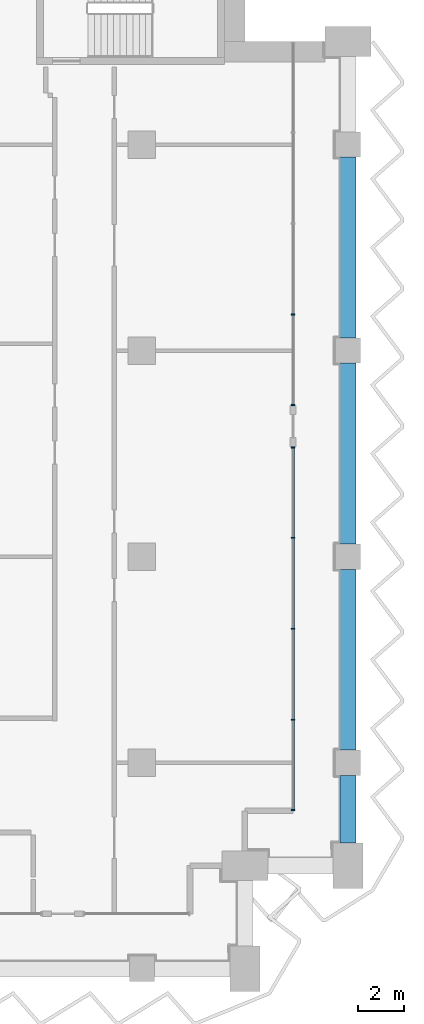
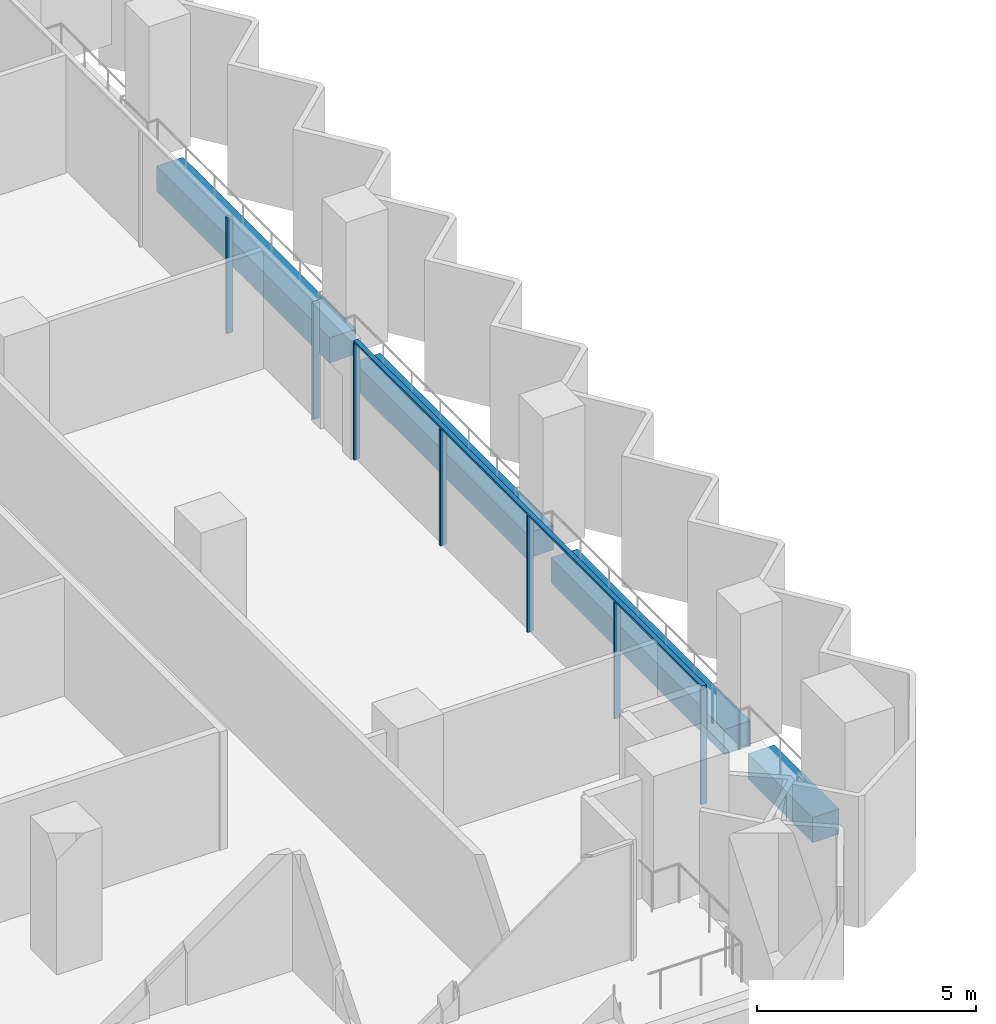
# One storey, part 5 of 23: 8 members, 4 beams, 2 elements without a shape of their own.
"""IFC4 building model written with IfcOpenShell, lengths in metres."""

from ifc_helpers import new_model, si_unit, direction, frame, origin, origin_2d, place, context, subcontext, project, spatial, rectangle, extrude, material, material_profile, profile_set, type_object, element, aggregate, save


model = new_model("IFC4")

# Units and contexts
model_context = context("Model", 3, precision=1e-05, world=origin(), true_north=direction((0.0, 1.0)))
body_context = subcontext(model_context, "Body", "Model", "MODEL_VIEW")
ifc_project = project(units=[si_unit("LENGTHUNIT", "METRE"), si_unit("AREAUNIT", "SQUARE_METRE"), si_unit("VOLUMEUNIT", "CUBIC_METRE"), si_unit("PLANEANGLEUNIT", "RADIAN"), si_unit("MASSUNIT", "GRAM", prefix="KILO")], contexts=[model_context])

# Site, building, storey
site_placement = place(None, origin())
site = spatial("IfcSite", under=ifc_project, at=site_placement, CompositionType="ELEMENT")
building_placement = place(site_placement, origin())
building = spatial("IfcBuilding", under=site, at=building_placement, Name="Hunhe Ridgeline Campus", CompositionType="ELEMENT")
storey_placement = place(building_placement, frame((0.0, 0.0, 148.60009765625)))
storey = spatial("IfcBuildingStorey", under=building, at=storey_placement, Name="L37", CompositionType="ELEMENT", Elevation=148.60009765625)

# Curtain wall, members
ifc_material_1 = material(Name="Aluminium 6063", Category="aluminium")
curtain_wall_type = type_object("IfcCurtainWallType", Name="Curtain wall CW-1", PredefinedType="NOTDEFINED", material=ifc_material_1)
curtain_wall_1_placement = place(storey_placement, origin())
curtain_wall_1 = element("IfcCurtainWall", 1, at=curtain_wall_1_placement, inside=storey, type_object=curtain_wall_type, Name="Curtain wall 14", PredefinedType="NOTDEFINED")
ifc_material_profile_1 = material_profile(ifc_material_1, rectangle(XDim=0.159912109375, YDim=0.06005859375, at=origin_2d()))
ifc_profile_set_1 = profile_set([ifc_material_profile_1], Name="Aluminium 6063")
member_type_1 = type_object("IfcMemberType", Name="CW-1 aluminium mullion", PredefinedType="MULLION", material=ifc_profile_set_1)
member_1_placement = place(storey_placement, frame((60.59912109375, 60.930908203125, 0.0), z_axis=(0.0, 0.0, 1.0), x_axis=(-1.0, 0.0, 0.0)))
member_1 = element("IfcMember", 2, at=member_1_placement, type_object=member_type_1, Name="CW-1 mullion 1", PredefinedType="MULLION", context=body_context, shape_type="SweptSolid", body=[
    extrude(rectangle(XDim=0.159912109375, YDim=0.06005859375, at=origin_2d()), origin(), (0.0, 0.0, 1.0), 3.239990234375),
])
member_2_placement = place(storey_placement, frame((60.59912109375, 64.8759765625, 0.0), z_axis=(0.0, 0.0, 1.0), x_axis=(-1.0, 0.0, 0.0)))
member_2 = element("IfcMember", 3, at=member_2_placement, type_object=member_type_1, Name="CW-1 mullion 2", PredefinedType="MULLION", context=body_context, shape_type="SweptSolid", body=[
    extrude(rectangle(XDim=0.159912109375, YDim=0.06005859375, at=origin_2d()), origin(), (0.0, 0.0, 1.0), 3.239990234375),
])
member_3_placement = place(storey_placement, frame((60.59912109375, 68.850830078125, 0.0), z_axis=(0.0, 0.0, 1.0), x_axis=(-1.0, 0.0, 0.0)))
member_3 = element("IfcMember", 4, at=member_3_placement, type_object=member_type_1, Name="CW-1 mullion 3", PredefinedType="MULLION", context=body_context, shape_type="SweptSolid", body=[
    extrude(rectangle(XDim=0.159912109375, YDim=0.06005859375, at=origin_2d()), origin(), (0.0, 0.0, 1.0), 3.239990234375),
])
member_4_placement = place(storey_placement, frame((60.59912109375, 72.82568359375, 0.0), z_axis=(0.0, 0.0, 1.0), x_axis=(-1.0, 0.0, 0.0)))
member_4 = element("IfcMember", 5, at=member_4_placement, type_object=member_type_1, Name="CW-1 mullion 4", PredefinedType="MULLION", context=body_context, shape_type="SweptSolid", body=[
    extrude(rectangle(XDim=0.159912109375, YDim=0.06005859375, at=origin_2d()), origin(), (0.0, 0.0, 1.0), 3.239990234375),
])
member_5_placement = place(storey_placement, frame((60.59912109375, 76.7705078125, 0.0), z_axis=(0.0, 0.0, 1.0), x_axis=(-1.0, 0.0, 0.0)))
member_5 = element("IfcMember", 6, at=member_5_placement, type_object=member_type_1, Name="CW-1 mullion 5", PredefinedType="MULLION", context=body_context, shape_type="SweptSolid", body=[
    extrude(rectangle(XDim=0.159912109375, YDim=0.06005859375, at=origin_2d()), origin(), (0.0, 0.0, 1.0), 3.239990234375),
])

curtain_wall_2_placement = place(storey_placement, origin())
curtain_wall_2 = element("IfcCurtainWall", 7, at=curtain_wall_2_placement, inside=storey, type_object=curtain_wall_type, Name="Curtain wall 15", PredefinedType="NOTDEFINED")
member_6_placement = place(storey_placement, frame((60.59912109375, 78.630615234375, 0.0), z_axis=(0.0, 0.0, 1.0), x_axis=(-1.0, 0.0, 0.0)))
member_6 = element("IfcMember", 8, at=member_6_placement, type_object=member_type_1, Name="CW-1 mullion 1", PredefinedType="MULLION", context=body_context, shape_type="SweptSolid", body=[
    extrude(rectangle(XDim=0.159912109375, YDim=0.06005859375, at=origin_2d()), origin(), (0.0, 0.0, 1.0), 3.239990234375),
])
member_7_placement = place(storey_placement, frame((60.59912109375, 82.575439453125, 0.0), z_axis=(0.0, 0.0, 1.0), x_axis=(-1.0, 0.0, 0.0)))
member_7 = element("IfcMember", 9, at=member_7_placement, type_object=member_type_1, Name="CW-1 mullion 2", PredefinedType="MULLION", context=body_context, shape_type="SweptSolid", body=[
    extrude(rectangle(XDim=0.159912109375, YDim=0.06005859375, at=origin_2d()), origin(), (0.0, 0.0, 1.0), 3.239990234375),
])
aggregate(curtain_wall_2, [member_6, member_7])

# Member
ifc_material_profile_2 = material_profile(ifc_material_1, rectangle(XDim=0.1201171875, YDim=0.06005859375, at=origin_2d()))
ifc_profile_set_2 = profile_set([ifc_material_profile_2], Name="Aluminium 6063")
member_type_2 = type_object("IfcMemberType", Name="CW-1 aluminium transom", PredefinedType="USERDEFINED", material=ifc_profile_set_2)
member_8_placement = place(storey_placement, frame((60.59912109375, 60.90087890625, 3.27001953125), z_axis=(0.0, 1.0, 0.0), x_axis=(-1.0, 0.0, 0.0)))
member_8 = element("IfcMember", 10, at=member_8_placement, type_object=member_type_2, Name="CW-1 transom 1", ObjectType="TRANSOM", PredefinedType="USERDEFINED", context=body_context, shape_type="SweptSolid", body=[
    extrude(rectangle(XDim=0.1201171875, YDim=0.06005859375, at=origin_2d()), origin(), (0.0, 0.0, 1.0), 15.899658203125),
])

aggregate(curtain_wall_1, [member_8, member_1, member_2, member_3, member_4, member_5])

# Beams
ifc_material_2 = material(Name="Concrete C60", Category="concrete")
ifc_material_profile_3 = material_profile(ifc_material_2, rectangle(XDim=0.699951171875, YDim=0.699951171875, at=origin_2d()))
ifc_profile_set_3 = profile_set([ifc_material_profile_3], Name="Concrete C60")
beam_type = type_object("IfcBeamType", Name="RC spandrel beam 700x700 Concrete C60", PredefinedType="SPANDREL", material=ifc_profile_set_3)
beam_placement = place(storey_placement, frame((63.0, 59.5, -0.60009765625), z_axis=(0.0, 1.0, 0.0), x_axis=(-1.0, 0.0, 0.0)))
element("IfcBeam", 11, at=beam_placement, inside=storey, type_object=beam_type, Name="Spandrel beam B2-16 L37", PredefinedType="SPANDREL", context=body_context, shape_type="SweptSolid", body=[
    extrude(rectangle(XDim=0.699951171875, YDim=0.699951171875, at=origin_2d()), origin(), (0.0, 0.0, 1.0), 2.949951171875),
])
for number, where, z_axis, x_axis, name in (
    (12, (63.0, 63.550048828125, -0.60009765625), (0.0, 1.0, 0.0), (-1.0, 0.0, 0.0), "Spandrel beam B2-17 L37"),
    (13, (63.0, 72.550048828125, -0.60009765625), (0.0, 1.0, 0.0), (-1.0, 0.0, 0.0), "Spandrel beam B2-18 L37"),
    (14, (63.0, 81.550048828125, -0.60009765625), (0.0, 1.0, 0.0), (-1.0, 0.0, 0.0), "Spandrel beam B2-19 L37"),
):
    element("IfcBeam", number, at=place(storey_placement, frame(where, z_axis=z_axis, x_axis=x_axis)), inside=storey, type_object=beam_type, Name=name, PredefinedType="SPANDREL", context=body_context, shape_type="SweptSolid", body=[
        extrude(rectangle(XDim=0.699951171875, YDim=0.699951171875, at=origin_2d()), origin(), (0.0, 0.0, 1.0), 7.89990234375),
    ])

save(model, "model.ifc")
